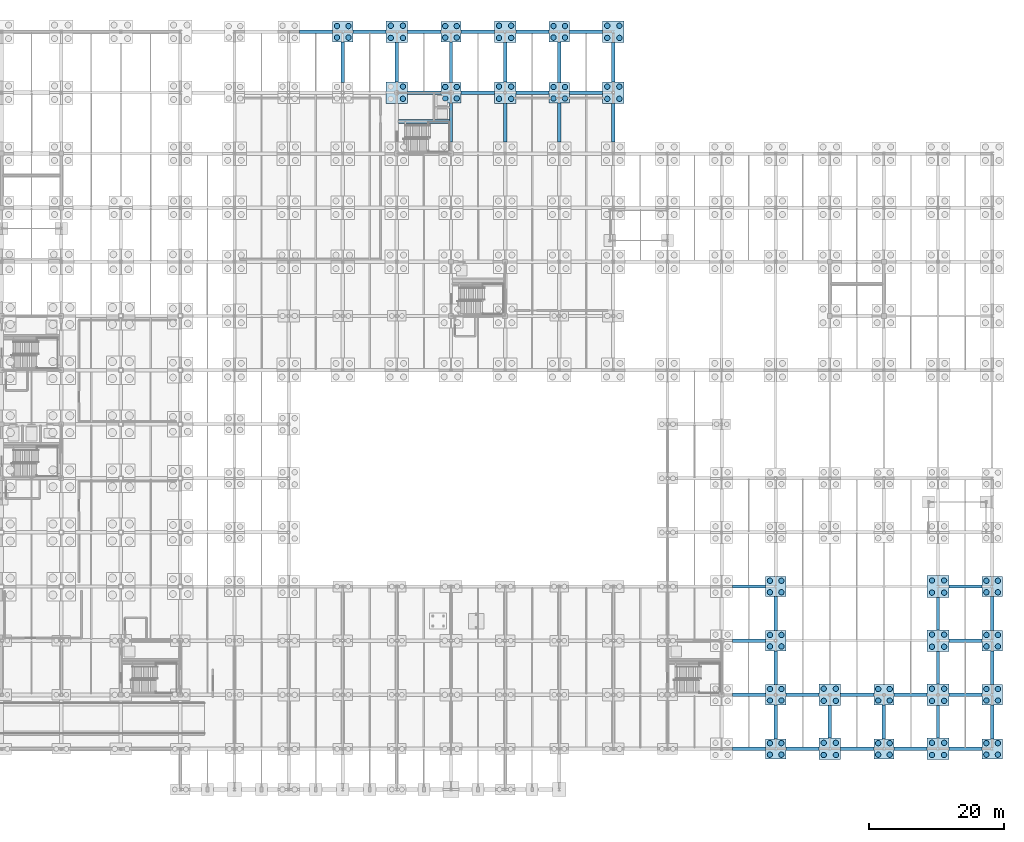
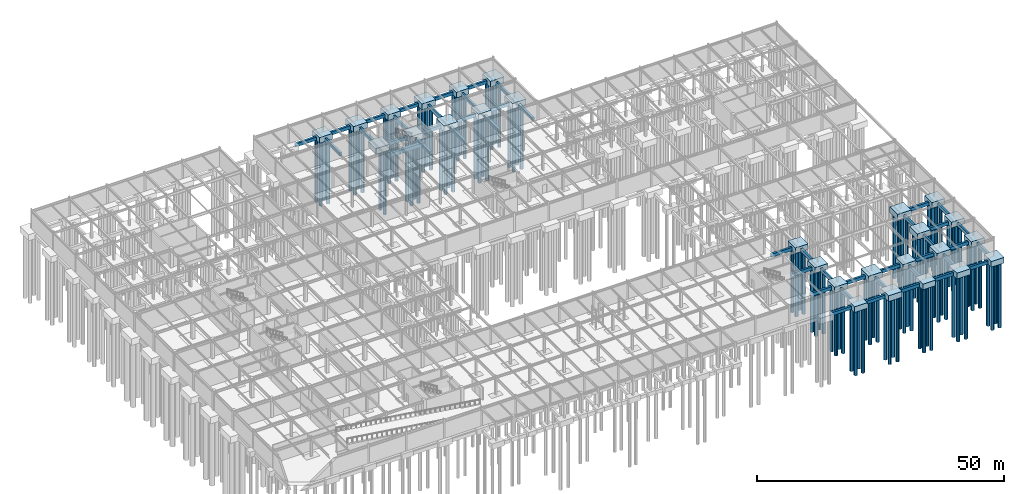
# One storey, part 9 of 72: 106 piles, 73 footings.
"""IFC4 building model written with IfcOpenShell, lengths in metres."""

from ifc_helpers import new_model, si_unit, direction, frame, origin, origin_2d, place, context, subcontext, project, spatial, rectangle, circle, extrude, material, material_profile, profile_set, type_object, element, save


model = new_model("IFC4")

# Units and contexts
model_context = context("Model", 3, precision=1e-05, world=origin(), true_north=direction((0.0, 1.0)))
body_context = subcontext(model_context, "Body", "Model", "MODEL_VIEW")
ifc_project = project(units=[si_unit("LENGTHUNIT", "METRE"), si_unit("AREAUNIT", "SQUARE_METRE"), si_unit("VOLUMEUNIT", "CUBIC_METRE"), si_unit("PLANEANGLEUNIT", "RADIAN"), si_unit("MASSUNIT", "GRAM", prefix="KILO")], contexts=[model_context])

# Site, building, storey
site_placement = place(None, origin())
site = spatial("IfcSite", under=ifc_project, at=site_placement, CompositionType="ELEMENT")
building_placement = place(site_placement, origin())
building = spatial("IfcBuilding", under=site, at=building_placement, Name="Zhaolan Boulevard Law Courts", CompositionType="ELEMENT")
storey_placement = place(building_placement, frame((0.0, 0.0, -4.800048828125)))
storey = spatial("IfcBuildingStorey", under=building, at=storey_placement, Name="B1", CompositionType="ELEMENT", Elevation=-4.800048828125)

# Piles
ifc_material_1 = material(Name="Concrete C40", Category="concrete")
ifc_material_profile_1 = material_profile(ifc_material_1, circle(Radius=0.39990234375, at=origin_2d()), Name="PILE-D800")
ifc_profile_set_1 = profile_set([ifc_material_profile_1], Name="Concrete C40")
pile_type = type_object("IfcPileType", Name="BORED PILE D800", PredefinedType="BORED", material=ifc_profile_set_1)
for number, where, z_axis, x_axis, name in (
    (1, (67.14990234375, 111.14990234375, -1.300048828125), (0.0, 0.0, -1.0), (1.0, 0.0, 0.0), "Bored Pile P-9Q-1"),
    (2, (68.85009765625, 111.14990234375, -1.300048828125), (0.0, 0.0, -1.0), (1.0, 0.0, 0.0), "Bored Pile P-9Q-2"),
    (3, (67.14990234375, 112.85009765625, -1.300048828125), (0.0, 0.0, -1.0), (1.0, 0.0, 0.0), "Bored Pile P-9Q-3"),
    (4, (68.85009765625, 112.85009765625, -1.300048828125), (0.0, 0.0, -1.0), (1.0, 0.0, 0.0), "Bored Pile P-9Q-4"),
):
    element("IfcPile", number, at=place(storey_placement, frame(where, z_axis=z_axis, x_axis=x_axis)), inside=storey, type_object=pile_type, Name=name, PredefinedType="BORED", context=body_context, shape_type="SweptSolid", body=[
        extrude(circle(Radius=0.39990234375, at=origin_2d()), origin(), (0.0, 0.0, 1.0), 16.10009765625),
    ])
for number, where, z_axis, x_axis, name in (
    (5, (76.89990234375, 102.10009765625, -1.349853515625), (0.0, 0.0, -1.0), (1.0, 0.0, 0.0), "Bored Pile P-10P-2"),
    (6, (76.89990234375, 103.89990234375, -1.349853515625), (0.0, 0.0, -1.0), (1.0, 0.0, 0.0), "Bored Pile P-10P-4"),
    (7, (75.10009765625, 111.10009765625, -1.349853515625), (0.0, 0.0, -1.0), (1.0, 0.0, 0.0), "Bored Pile P-10Q-1"),
    (8, (76.89990234375, 111.10009765625, -1.349853515625), (0.0, 0.0, -1.0), (1.0, 0.0, 0.0), "Bored Pile P-10Q-2"),
    (9, (75.10009765625, 112.89990234375, -1.349853515625), (0.0, 0.0, -1.0), (1.0, 0.0, 0.0), "Bored Pile P-10Q-3"),
    (10, (76.89990234375, 112.89990234375, -1.349853515625), (0.0, 0.0, -1.0), (1.0, 0.0, 0.0), "Bored Pile P-10Q-4"),
):
    element("IfcPile", number, at=place(storey_placement, frame(where, z_axis=z_axis, x_axis=x_axis)), inside=storey, type_object=pile_type, Name=name, PredefinedType="BORED", context=body_context, shape_type="SweptSolid", body=[
        extrude(circle(Radius=0.39990234375, at=origin_2d()), origin(), (0.0, 0.0, 1.0), 16.050048828125),
    ])
for number, where, z_axis, x_axis, name in (
    (11, (83.14990234375, 102.14990234375, -1.300048828125), (0.0, 0.0, -1.0), (1.0, 0.0, 0.0), "Bored Pile P-11P-1"),
    (12, (84.85009765625, 102.14990234375, -1.300048828125), (0.0, 0.0, -1.0), (1.0, 0.0, 0.0), "Bored Pile P-11P-2"),
    (13, (83.14990234375, 103.85009765625, -1.300048828125), (0.0, 0.0, -1.0), (1.0, 0.0, 0.0), "Bored Pile P-11P-3"),
    (14, (84.85009765625, 103.85009765625, -1.300048828125), (0.0, 0.0, -1.0), (1.0, 0.0, 0.0), "Bored Pile P-11P-4"),
    (15, (83.14990234375, 111.14990234375, -1.300048828125), (0.0, 0.0, -1.0), (1.0, 0.0, 0.0), "Bored Pile P-11Q-1"),
    (16, (84.85009765625, 111.14990234375, -1.300048828125), (0.0, 0.0, -1.0), (1.0, 0.0, 0.0), "Bored Pile P-11Q-2"),
    (17, (83.14990234375, 112.85009765625, -1.300048828125), (0.0, 0.0, -1.0), (1.0, 0.0, 0.0), "Bored Pile P-11Q-3"),
    (18, (84.85009765625, 112.85009765625, -1.300048828125), (0.0, 0.0, -1.0), (1.0, 0.0, 0.0), "Bored Pile P-11Q-4"),
):
    element("IfcPile", number, at=place(storey_placement, frame(where, z_axis=z_axis, x_axis=x_axis)), inside=storey, type_object=pile_type, Name=name, PredefinedType="BORED", context=body_context, shape_type="SweptSolid", body=[
        extrude(circle(Radius=0.39990234375, at=origin_2d()), origin(), (0.0, 0.0, 1.0), 16.10009765625),
    ])
for number, where, z_axis, x_axis, name in (
    (19, (91.10009765625, 102.10009765625, -1.349853515625), (0.0, 0.0, -1.0), (1.0, 0.0, 0.0), "Bored Pile P-12P-1"),
    (20, (92.89990234375, 102.10009765625, -1.349853515625), (0.0, 0.0, -1.0), (1.0, 0.0, 0.0), "Bored Pile P-12P-2"),
    (21, (91.10009765625, 103.89990234375, -1.349853515625), (0.0, 0.0, -1.0), (1.0, 0.0, 0.0), "Bored Pile P-12P-3"),
    (22, (92.89990234375, 103.89990234375, -1.349853515625), (0.0, 0.0, -1.0), (1.0, 0.0, 0.0), "Bored Pile P-12P-4"),
    (23, (91.10009765625, 111.10009765625, -1.349853515625), (0.0, 0.0, -1.0), (1.0, 0.0, 0.0), "Bored Pile P-12Q-1"),
    (24, (92.89990234375, 111.10009765625, -1.349853515625), (0.0, 0.0, -1.0), (1.0, 0.0, 0.0), "Bored Pile P-12Q-2"),
    (25, (91.10009765625, 112.89990234375, -1.349853515625), (0.0, 0.0, -1.0), (1.0, 0.0, 0.0), "Bored Pile P-12Q-3"),
    (26, (92.89990234375, 112.89990234375, -1.349853515625), (0.0, 0.0, -1.0), (1.0, 0.0, 0.0), "Bored Pile P-12Q-4"),
):
    element("IfcPile", number, at=place(storey_placement, frame(where, z_axis=z_axis, x_axis=x_axis)), inside=storey, type_object=pile_type, Name=name, PredefinedType="BORED", context=body_context, shape_type="SweptSolid", body=[
        extrude(circle(Radius=0.39990234375, at=origin_2d()), origin(), (0.0, 0.0, 1.0), 16.050048828125),
    ])
for number, where, z_axis, x_axis, name in (
    (27, (99.14990234375, 102.14990234375, -1.300048828125), (0.0, 0.0, -1.0), (1.0, 0.0, 0.0), "Bored Pile P-13P-1"),
    (28, (100.85009765625, 102.14990234375, -1.300048828125), (0.0, 0.0, -1.0), (1.0, 0.0, 0.0), "Bored Pile P-13P-2"),
    (29, (99.14990234375, 103.85009765625, -1.300048828125), (0.0, 0.0, -1.0), (1.0, 0.0, 0.0), "Bored Pile P-13P-3"),
    (30, (100.85009765625, 103.85009765625, -1.300048828125), (0.0, 0.0, -1.0), (1.0, 0.0, 0.0), "Bored Pile P-13P-4"),
    (31, (99.14990234375, 111.14990234375, -1.300048828125), (0.0, 0.0, -1.0), (1.0, 0.0, 0.0), "Bored Pile P-13Q-1"),
    (32, (100.85009765625, 111.14990234375, -1.300048828125), (0.0, 0.0, -1.0), (1.0, 0.0, 0.0), "Bored Pile P-13Q-2"),
    (33, (99.14990234375, 112.85009765625, -1.300048828125), (0.0, 0.0, -1.0), (1.0, 0.0, 0.0), "Bored Pile P-13Q-3"),
    (34, (100.85009765625, 112.85009765625, -1.300048828125), (0.0, 0.0, -1.0), (1.0, 0.0, 0.0), "Bored Pile P-13Q-4"),
):
    element("IfcPile", number, at=place(storey_placement, frame(where, z_axis=z_axis, x_axis=x_axis)), inside=storey, type_object=pile_type, Name=name, PredefinedType="BORED", context=body_context, shape_type="SweptSolid", body=[
        extrude(circle(Radius=0.39990234375, at=origin_2d()), origin(), (0.0, 0.0, 1.0), 16.10009765625),
    ])
for number, where, z_axis, x_axis, name in (
    (35, (107.10009765625, 102.10009765625, -1.349853515625), (0.0, 0.0, -1.0), (1.0, 0.0, 0.0), "Bored Pile P-14P-1"),
    (36, (108.89990234375, 102.10009765625, -1.349853515625), (0.0, 0.0, -1.0), (1.0, 0.0, 0.0), "Bored Pile P-14P-2"),
    (37, (107.10009765625, 103.89990234375, -1.349853515625), (0.0, 0.0, -1.0), (1.0, 0.0, 0.0), "Bored Pile P-14P-3"),
    (38, (108.89990234375, 103.89990234375, -1.349853515625), (0.0, 0.0, -1.0), (1.0, 0.0, 0.0), "Bored Pile P-14P-4"),
    (39, (107.10009765625, 111.10009765625, -1.349853515625), (0.0, 0.0, -1.0), (1.0, 0.0, 0.0), "Bored Pile P-14Q-1"),
    (40, (108.89990234375, 111.10009765625, -1.349853515625), (0.0, 0.0, -1.0), (1.0, 0.0, 0.0), "Bored Pile P-14Q-2"),
    (41, (107.10009765625, 112.89990234375, -1.349853515625), (0.0, 0.0, -1.0), (1.0, 0.0, 0.0), "Bored Pile P-14Q-3"),
    (42, (108.89990234375, 112.89990234375, -1.349853515625), (0.0, 0.0, -1.0), (1.0, 0.0, 0.0), "Bored Pile P-14Q-4"),
):
    element("IfcPile", number, at=place(storey_placement, frame(where, z_axis=z_axis, x_axis=x_axis)), inside=storey, type_object=pile_type, Name=name, PredefinedType="BORED", context=body_context, shape_type="SweptSolid", body=[
        extrude(circle(Radius=0.39990234375, at=origin_2d()), origin(), (0.0, 0.0, 1.0), 16.050048828125),
    ])
for number, where, z_axis, x_axis, name in (
    (43, (131.14990234375, 5.14990234375, -1.300048828125), (0.0, 0.0, -1.0), (1.0, 0.0, 0.0), "Bored Pile P-17B-1"),
    (44, (132.85009765625, 5.14990234375, -1.300048828125), (0.0, 0.0, -1.0), (1.0, 0.0, 0.0), "Bored Pile P-17B-2"),
    (45, (131.14990234375, 6.85009765625, -1.300048828125), (0.0, 0.0, -1.0), (1.0, 0.0, 0.0), "Bored Pile P-17B-3"),
    (46, (132.85009765625, 6.85009765625, -1.300048828125), (0.0, 0.0, -1.0), (1.0, 0.0, 0.0), "Bored Pile P-17B-4"),
    (47, (131.14990234375, 13.14990234375, -1.300048828125), (0.0, 0.0, -1.0), (1.0, 0.0, 0.0), "Bored Pile P-17C-1"),
    (48, (132.85009765625, 13.14990234375, -1.300048828125), (0.0, 0.0, -1.0), (1.0, 0.0, 0.0), "Bored Pile P-17C-2"),
    (49, (131.14990234375, 14.85009765625, -1.300048828125), (0.0, 0.0, -1.0), (1.0, 0.0, 0.0), "Bored Pile P-17C-3"),
    (50, (132.85009765625, 14.85009765625, -1.300048828125), (0.0, 0.0, -1.0), (1.0, 0.0, 0.0), "Bored Pile P-17C-4"),
    (51, (131.14990234375, 21.14990234375, -1.300048828125), (0.0, 0.0, -1.0), (1.0, 0.0, 0.0), "Bored Pile P-17D-1"),
    (52, (132.85009765625, 21.14990234375, -1.300048828125), (0.0, 0.0, -1.0), (1.0, 0.0, 0.0), "Bored Pile P-17D-2"),
    (53, (131.14990234375, 22.85009765625, -1.300048828125), (0.0, 0.0, -1.0), (1.0, 0.0, 0.0), "Bored Pile P-17D-3"),
    (54, (132.85009765625, 22.85009765625, -1.300048828125), (0.0, 0.0, -1.0), (1.0, 0.0, 0.0), "Bored Pile P-17D-4"),
    (55, (131.14990234375, 29.14990234375, -1.300048828125), (0.0, 0.0, -1.0), (1.0, 0.0, 0.0), "Bored Pile P-17E-1"),
    (56, (132.85009765625, 29.14990234375, -1.300048828125), (0.0, 0.0, -1.0), (1.0, 0.0, 0.0), "Bored Pile P-17E-2"),
    (57, (131.14990234375, 30.85009765625, -1.300048828125), (0.0, 0.0, -1.0), (1.0, 0.0, 0.0), "Bored Pile P-17E-3"),
    (58, (132.85009765625, 30.85009765625, -1.300048828125), (0.0, 0.0, -1.0), (1.0, 0.0, 0.0), "Bored Pile P-17E-4"),
):
    element("IfcPile", number, at=place(storey_placement, frame(where, z_axis=z_axis, x_axis=x_axis)), inside=storey, type_object=pile_type, Name=name, PredefinedType="BORED", context=body_context, shape_type="SweptSolid", body=[
        extrude(circle(Radius=0.39990234375, at=origin_2d()), origin(), (0.0, 0.0, 1.0), 16.10009765625),
    ])
for number, where, z_axis, x_axis, name in (
    (59, (139.10009765625, 5.10009765625, -1.349853515625), (0.0, 0.0, -1.0), (1.0, 0.0, 0.0), "Bored Pile P-18B-1"),
    (60, (140.89990234375, 5.10009765625, -1.349853515625), (0.0, 0.0, -1.0), (1.0, 0.0, 0.0), "Bored Pile P-18B-2"),
    (61, (139.10009765625, 6.89990234375, -1.349853515625), (0.0, 0.0, -1.0), (1.0, 0.0, 0.0), "Bored Pile P-18B-3"),
    (62, (140.89990234375, 6.89990234375, -1.349853515625), (0.0, 0.0, -1.0), (1.0, 0.0, 0.0), "Bored Pile P-18B-4"),
    (63, (139.10009765625, 13.10009765625, -1.349853515625), (0.0, 0.0, -1.0), (1.0, 0.0, 0.0), "Bored Pile P-18C-1"),
    (64, (140.89990234375, 13.10009765625, -1.349853515625), (0.0, 0.0, -1.0), (1.0, 0.0, 0.0), "Bored Pile P-18C-2"),
    (65, (139.10009765625, 14.89990234375, -1.349853515625), (0.0, 0.0, -1.0), (1.0, 0.0, 0.0), "Bored Pile P-18C-3"),
    (66, (140.89990234375, 14.89990234375, -1.349853515625), (0.0, 0.0, -1.0), (1.0, 0.0, 0.0), "Bored Pile P-18C-4"),
):
    element("IfcPile", number, at=place(storey_placement, frame(where, z_axis=z_axis, x_axis=x_axis)), inside=storey, type_object=pile_type, Name=name, PredefinedType="BORED", context=body_context, shape_type="SweptSolid", body=[
        extrude(circle(Radius=0.39990234375, at=origin_2d()), origin(), (0.0, 0.0, 1.0), 16.050048828125),
    ])
for number, where, z_axis, x_axis, name in (
    (67, (147.14990234375, 5.14990234375, -1.300048828125), (0.0, 0.0, -1.0), (1.0, 0.0, 0.0), "Bored Pile P-19B-1"),
    (68, (148.85009765625, 5.14990234375, -1.300048828125), (0.0, 0.0, -1.0), (1.0, 0.0, 0.0), "Bored Pile P-19B-2"),
    (69, (147.14990234375, 6.85009765625, -1.300048828125), (0.0, 0.0, -1.0), (1.0, 0.0, 0.0), "Bored Pile P-19B-3"),
    (70, (148.85009765625, 6.85009765625, -1.300048828125), (0.0, 0.0, -1.0), (1.0, 0.0, 0.0), "Bored Pile P-19B-4"),
    (71, (147.14990234375, 13.14990234375, -1.300048828125), (0.0, 0.0, -1.0), (1.0, 0.0, 0.0), "Bored Pile P-19C-1"),
    (72, (148.85009765625, 13.14990234375, -1.300048828125), (0.0, 0.0, -1.0), (1.0, 0.0, 0.0), "Bored Pile P-19C-2"),
    (73, (147.14990234375, 14.85009765625, -1.300048828125), (0.0, 0.0, -1.0), (1.0, 0.0, 0.0), "Bored Pile P-19C-3"),
    (74, (148.85009765625, 14.85009765625, -1.300048828125), (0.0, 0.0, -1.0), (1.0, 0.0, 0.0), "Bored Pile P-19C-4"),
):
    element("IfcPile", number, at=place(storey_placement, frame(where, z_axis=z_axis, x_axis=x_axis)), inside=storey, type_object=pile_type, Name=name, PredefinedType="BORED", context=body_context, shape_type="SweptSolid", body=[
        extrude(circle(Radius=0.39990234375, at=origin_2d()), origin(), (0.0, 0.0, 1.0), 16.10009765625),
    ])
for number, where, z_axis, x_axis, name in (
    (75, (155.10009765625, 5.10009765625, -1.349853515625), (0.0, 0.0, -1.0), (1.0, 0.0, 0.0), "Bored Pile P-20B-1"),
    (76, (156.89990234375, 5.10009765625, -1.349853515625), (0.0, 0.0, -1.0), (1.0, 0.0, 0.0), "Bored Pile P-20B-2"),
    (77, (155.10009765625, 6.89990234375, -1.349853515625), (0.0, 0.0, -1.0), (1.0, 0.0, 0.0), "Bored Pile P-20B-3"),
    (78, (156.89990234375, 6.89990234375, -1.349853515625), (0.0, 0.0, -1.0), (1.0, 0.0, 0.0), "Bored Pile P-20B-4"),
    (79, (155.10009765625, 13.10009765625, -1.349853515625), (0.0, 0.0, -1.0), (1.0, 0.0, 0.0), "Bored Pile P-20C-1"),
    (80, (156.89990234375, 13.10009765625, -1.349853515625), (0.0, 0.0, -1.0), (1.0, 0.0, 0.0), "Bored Pile P-20C-2"),
    (81, (155.10009765625, 14.89990234375, -1.349853515625), (0.0, 0.0, -1.0), (1.0, 0.0, 0.0), "Bored Pile P-20C-3"),
    (82, (156.89990234375, 14.89990234375, -1.349853515625), (0.0, 0.0, -1.0), (1.0, 0.0, 0.0), "Bored Pile P-20C-4"),
    (83, (155.10009765625, 21.10009765625, -1.349853515625), (0.0, 0.0, -1.0), (1.0, 0.0, 0.0), "Bored Pile P-20D-1"),
    (84, (156.89990234375, 21.10009765625, -1.349853515625), (0.0, 0.0, -1.0), (1.0, 0.0, 0.0), "Bored Pile P-20D-2"),
    (85, (155.10009765625, 22.89990234375, -1.349853515625), (0.0, 0.0, -1.0), (1.0, 0.0, 0.0), "Bored Pile P-20D-3"),
    (86, (156.89990234375, 22.89990234375, -1.349853515625), (0.0, 0.0, -1.0), (1.0, 0.0, 0.0), "Bored Pile P-20D-4"),
    (87, (155.10009765625, 29.10009765625, -1.349853515625), (0.0, 0.0, -1.0), (1.0, 0.0, 0.0), "Bored Pile P-20E-1"),
    (88, (156.89990234375, 29.10009765625, -1.349853515625), (0.0, 0.0, -1.0), (1.0, 0.0, 0.0), "Bored Pile P-20E-2"),
    (89, (155.10009765625, 30.89990234375, -1.349853515625), (0.0, 0.0, -1.0), (1.0, 0.0, 0.0), "Bored Pile P-20E-3"),
    (90, (156.89990234375, 30.89990234375, -1.349853515625), (0.0, 0.0, -1.0), (1.0, 0.0, 0.0), "Bored Pile P-20E-4"),
):
    element("IfcPile", number, at=place(storey_placement, frame(where, z_axis=z_axis, x_axis=x_axis)), inside=storey, type_object=pile_type, Name=name, PredefinedType="BORED", context=body_context, shape_type="SweptSolid", body=[
        extrude(circle(Radius=0.39990234375, at=origin_2d()), origin(), (0.0, 0.0, 1.0), 16.050048828125),
    ])
for number, where, z_axis, x_axis, name in (
    (91, (163.14990234375, 5.14990234375, -1.300048828125), (0.0, 0.0, -1.0), (1.0, 0.0, 0.0), "Bored Pile P-21B-1"),
    (92, (164.85009765625, 5.14990234375, -1.300048828125), (0.0, 0.0, -1.0), (1.0, 0.0, 0.0), "Bored Pile P-21B-2"),
    (93, (163.14990234375, 6.85009765625, -1.300048828125), (0.0, 0.0, -1.0), (1.0, 0.0, 0.0), "Bored Pile P-21B-3"),
    (94, (164.85009765625, 6.85009765625, -1.300048828125), (0.0, 0.0, -1.0), (1.0, 0.0, 0.0), "Bored Pile P-21B-4"),
    (95, (163.14990234375, 13.14990234375, -1.300048828125), (0.0, 0.0, -1.0), (1.0, 0.0, 0.0), "Bored Pile P-21C-1"),
    (96, (164.85009765625, 13.14990234375, -1.300048828125), (0.0, 0.0, -1.0), (1.0, 0.0, 0.0), "Bored Pile P-21C-2"),
    (97, (163.14990234375, 14.85009765625, -1.300048828125), (0.0, 0.0, -1.0), (1.0, 0.0, 0.0), "Bored Pile P-21C-3"),
    (98, (164.85009765625, 14.85009765625, -1.300048828125), (0.0, 0.0, -1.0), (1.0, 0.0, 0.0), "Bored Pile P-21C-4"),
    (99, (163.14990234375, 21.14990234375, -1.300048828125), (0.0, 0.0, -1.0), (1.0, 0.0, 0.0), "Bored Pile P-21D-1"),
    (100, (164.85009765625, 21.14990234375, -1.300048828125), (0.0, 0.0, -1.0), (1.0, 0.0, 0.0), "Bored Pile P-21D-2"),
    (101, (163.14990234375, 22.85009765625, -1.300048828125), (0.0, 0.0, -1.0), (1.0, 0.0, 0.0), "Bored Pile P-21D-3"),
    (102, (164.85009765625, 22.85009765625, -1.300048828125), (0.0, 0.0, -1.0), (1.0, 0.0, 0.0), "Bored Pile P-21D-4"),
    (103, (163.14990234375, 29.14990234375, -1.300048828125), (0.0, 0.0, -1.0), (1.0, 0.0, 0.0), "Bored Pile P-21E-1"),
    (104, (164.85009765625, 29.14990234375, -1.300048828125), (0.0, 0.0, -1.0), (1.0, 0.0, 0.0), "Bored Pile P-21E-2"),
    (105, (163.14990234375, 30.85009765625, -1.300048828125), (0.0, 0.0, -1.0), (1.0, 0.0, 0.0), "Bored Pile P-21E-3"),
    (106, (164.85009765625, 30.85009765625, -1.300048828125), (0.0, 0.0, -1.0), (1.0, 0.0, 0.0), "Bored Pile P-21E-4"),
):
    element("IfcPile", number, at=place(storey_placement, frame(where, z_axis=z_axis, x_axis=x_axis)), inside=storey, type_object=pile_type, Name=name, PredefinedType="BORED", context=body_context, shape_type="SweptSolid", body=[
        extrude(circle(Radius=0.39990234375, at=origin_2d()), origin(), (0.0, 0.0, 1.0), 16.10009765625),
    ])

# Footings
ifc_material_2 = material(Name="Concrete C40", Category="concrete")
footing_type_1 = type_object("IfcFootingType", Name="PILE CAP 3000X3000X1400", PredefinedType="PILE_CAP", material=ifc_material_2)
for number, where, z_axis, x_axis, name in (
    (107, (68.0, 112.0, -1.39990234375), (0.0, 0.0, 1.0), (1.0, 0.0, 0.0), "Pile Cap PC-9Q"),
    (108, (84.0, 103.0, -1.39990234375), (0.0, 0.0, 1.0), (1.0, 0.0, 0.0), "Pile Cap PC-11P"),
    (109, (84.0, 112.0, -1.39990234375), (0.0, 0.0, 1.0), (1.0, 0.0, 0.0), "Pile Cap PC-11Q"),
    (110, (100.0, 103.0, -1.39990234375), (0.0, 0.0, 1.0), (1.0, 0.0, 0.0), "Pile Cap PC-13P"),
    (111, (100.0, 112.0, -1.39990234375), (0.0, 0.0, 1.0), (1.0, 0.0, 0.0), "Pile Cap PC-13Q"),
    (112, (132.0, 6.0, -1.39990234375), (0.0, 0.0, 1.0), (1.0, 0.0, 0.0), "Pile Cap PC-17B"),
    (113, (132.0, 14.0, -1.39990234375), (0.0, 0.0, 1.0), (1.0, 0.0, 0.0), "Pile Cap PC-17C"),
    (114, (132.0, 22.0, -1.39990234375), (0.0, 0.0, 1.0), (1.0, 0.0, 0.0), "Pile Cap PC-17D"),
    (115, (132.0, 30.0, -1.39990234375), (0.0, 0.0, 1.0), (1.0, 0.0, 0.0), "Pile Cap PC-17E"),
    (116, (148.0, 6.0, -1.39990234375), (0.0, 0.0, 1.0), (1.0, 0.0, 0.0), "Pile Cap PC-19B"),
    (117, (148.0, 14.0, -1.39990234375), (0.0, 0.0, 1.0), (1.0, 0.0, 0.0), "Pile Cap PC-19C"),
    (118, (164.0, 6.0, -1.39990234375), (0.0, 0.0, 1.0), (1.0, 0.0, 0.0), "Pile Cap PC-21B"),
    (119, (164.0, 14.0, -1.39990234375), (0.0, 0.0, 1.0), (1.0, 0.0, 0.0), "Pile Cap PC-21C"),
    (120, (164.0, 22.0, -1.39990234375), (0.0, 0.0, 1.0), (1.0, 0.0, 0.0), "Pile Cap PC-21D"),
    (121, (164.0, 30.0, -1.39990234375), (0.0, 0.0, 1.0), (1.0, 0.0, 0.0), "Pile Cap PC-21E"),
):
    element("IfcFooting", number, at=place(storey_placement, frame(where, z_axis=z_axis, x_axis=x_axis)), inside=storey, type_object=footing_type_1, Name=name, PredefinedType="PILE_CAP", context=body_context, shape_type="SweptSolid", body=[
        extrude(rectangle(XDim=3.0, YDim=3.0, at=origin_2d()), origin(), (0.0, 0.0, 1.0), 1.39990234375),
    ])
ifc_material_3 = material(Name="Concrete C40", Category="concrete")
footing_type_2 = type_object("IfcFootingType", Name="PILE CAP 3200X3200X1450", PredefinedType="PILE_CAP", material=ifc_material_3)
for number, where, z_axis, x_axis, name in (
    (122, (76.0, 103.0, -1.44970703125), (0.0, 0.0, 1.0), (1.0, 0.0, 0.0), "Pile Cap PC-10P"),
    (123, (76.0, 112.0, -1.44970703125), (0.0, 0.0, 1.0), (1.0, 0.0, 0.0), "Pile Cap PC-10Q"),
    (124, (92.0, 103.0, -1.44970703125), (0.0, 0.0, 1.0), (1.0, 0.0, 0.0), "Pile Cap PC-12P"),
    (125, (92.0, 112.0, -1.44970703125), (0.0, 0.0, 1.0), (1.0, 0.0, 0.0), "Pile Cap PC-12Q"),
    (126, (108.0, 103.0, -1.44970703125), (0.0, 0.0, 1.0), (1.0, 0.0, 0.0), "Pile Cap PC-14P"),
    (127, (108.0, 112.0, -1.44970703125), (0.0, 0.0, 1.0), (1.0, 0.0, 0.0), "Pile Cap PC-14Q"),
    (128, (140.0, 6.0, -1.44970703125), (0.0, 0.0, 1.0), (1.0, 0.0, 0.0), "Pile Cap PC-18B"),
    (129, (140.0, 14.0, -1.44970703125), (0.0, 0.0, 1.0), (1.0, 0.0, 0.0), "Pile Cap PC-18C"),
    (130, (156.0, 6.0, -1.44970703125), (0.0, 0.0, 1.0), (1.0, 0.0, 0.0), "Pile Cap PC-20B"),
    (131, (156.0, 14.0, -1.44970703125), (0.0, 0.0, 1.0), (1.0, 0.0, 0.0), "Pile Cap PC-20C"),
    (132, (156.0, 22.0, -1.44970703125), (0.0, 0.0, 1.0), (1.0, 0.0, 0.0), "Pile Cap PC-20D"),
    (133, (156.0, 30.0, -1.44970703125), (0.0, 0.0, 1.0), (1.0, 0.0, 0.0), "Pile Cap PC-20E"),
):
    element("IfcFooting", number, at=place(storey_placement, frame(where, z_axis=z_axis, x_axis=x_axis)), inside=storey, type_object=footing_type_2, Name=name, PredefinedType="PILE_CAP", context=body_context, shape_type="SweptSolid", body=[
        extrude(rectangle(XDim=3.199951171875, YDim=3.199951171875, at=origin_2d()), origin(), (0.0, 0.0, 1.0), 1.449951171875),
    ])
ifc_material_4 = material(Name="Concrete C40", Category="concrete")
ifc_material_profile_2 = material_profile(ifc_material_4, rectangle(XDim=0.60009765625, YDim=0.89990234375, at=origin_2d()), Name="RC600x900")
ifc_profile_set_2 = profile_set([ifc_material_profile_2], Name="Concrete C40")
footing_type_3 = type_object("IfcFootingType", Name="STRIP FOOTING 600X900", PredefinedType="STRIP_FOOTING", material=ifc_profile_set_2)
footing_1_placement = place(storey_placement, frame((76.251953125, 98.75, -0.449951171875), z_axis=(1.0, 0.0, 0.0), x_axis=(0.0, 1.0, 0.0)))
element("IfcFooting", 134, at=footing_1_placement, inside=storey, type_object=footing_type_3, Name="Stair Divider Strip Footing SF-ST11-DN", PredefinedType="STRIP_FOOTING", context=body_context, shape_type="SweptSolid", body=[
    extrude(rectangle(XDim=0.60009765625, YDim=0.89990234375, at=origin_2d()), origin(), (0.0, 0.0, 1.0), 7.49609375),
])
ifc_material_5 = material(Name="Concrete C40", Category="concrete")
ifc_material_profile_3 = material_profile(ifc_material_5, rectangle(XDim=0.5, YDim=0.800048828125, at=origin_2d()), Name="RC500x800")
ifc_profile_set_3 = profile_set([ifc_material_profile_3], Name="Concrete C40")
footing_type_4 = type_object("IfcFootingType", Name="TIE BEAM 500X800", PredefinedType="FOOTING_BEAM", material=ifc_profile_set_3)
for number, where, z_axis, x_axis, name in (
    (135, (61.60205078125, 112.0, -1.0), (1.0, 0.0, 0.0), (0.0, 1.0, 0.0), "Foundation Tie Beam TBX-8-9-Q"),
    (136, (69.501953125, 112.0, -1.0), (1.0, 0.0, 0.0), (0.0, 1.0, 0.0), "Foundation Tie Beam TBX-9-10-Q"),
    (137, (77.60205078125, 103.0, -1.0), (1.0, 0.0, 0.0), (0.0, 1.0, 0.0), "Foundation Tie Beam TBX-10-11-P"),
    (138, (77.60205078125, 112.0, -1.0), (1.0, 0.0, 0.0), (0.0, 1.0, 0.0), "Foundation Tie Beam TBX-10-11-Q"),
    (139, (85.501953125, 103.0, -1.0), (1.0, 0.0, 0.0), (0.0, 1.0, 0.0), "Foundation Tie Beam TBX-11-12-P"),
    (140, (85.501953125, 112.0, -1.0), (1.0, 0.0, 0.0), (0.0, 1.0, 0.0), "Foundation Tie Beam TBX-11-12-Q"),
    (141, (93.60205078125, 103.0, -1.0), (1.0, 0.0, 0.0), (0.0, 1.0, 0.0), "Foundation Tie Beam TBX-12-13-P"),
    (142, (93.60205078125, 112.0, -1.0), (1.0, 0.0, 0.0), (0.0, 1.0, 0.0), "Foundation Tie Beam TBX-12-13-Q"),
    (143, (101.501953125, 103.0, -1.0), (1.0, 0.0, 0.0), (0.0, 1.0, 0.0), "Foundation Tie Beam TBX-13-14-P"),
    (144, (101.501953125, 112.0, -1.0), (1.0, 0.0, 0.0), (0.0, 1.0, 0.0), "Foundation Tie Beam TBX-13-14-Q"),
    (145, (125.60205078125, 6.0, -1.0), (1.0, 0.0, 0.0), (0.0, 1.0, 0.0), "Foundation Tie Beam TBX-16-17-B"),
    (146, (125.60205078125, 14.0, -1.0), (1.0, 0.0, 0.0), (0.0, 1.0, 0.0), "Foundation Tie Beam TBX-16-17-C"),
    (147, (125.60205078125, 22.0, -1.0), (1.0, 0.0, 0.0), (0.0, 1.0, 0.0), "Foundation Tie Beam TBX-16-17-D"),
    (148, (125.60205078125, 30.0, -1.0), (1.0, 0.0, 0.0), (0.0, 1.0, 0.0), "Foundation Tie Beam TBX-16-17-E"),
    (149, (133.501953125, 6.0, -1.0), (1.0, 0.0, 0.0), (0.0, 1.0, 0.0), "Foundation Tie Beam TBX-17-18-B"),
    (150, (133.501953125, 14.0, -1.0), (1.0, 0.0, 0.0), (0.0, 1.0, 0.0), "Foundation Tie Beam TBX-17-18-C"),
    (151, (141.60205078125, 6.0, -1.0), (1.0, 0.0, 0.0), (0.0, 1.0, 0.0), "Foundation Tie Beam TBX-18-19-B"),
    (152, (141.60205078125, 14.0, -1.0), (1.0, 0.0, 0.0), (0.0, 1.0, 0.0), "Foundation Tie Beam TBX-18-19-C"),
    (153, (149.501953125, 6.0, -1.0), (1.0, 0.0, 0.0), (0.0, 1.0, 0.0), "Foundation Tie Beam TBX-19-20-B"),
    (154, (149.501953125, 14.0, -1.0), (1.0, 0.0, 0.0), (0.0, 1.0, 0.0), "Foundation Tie Beam TBX-19-20-C"),
    (155, (157.60205078125, 6.0, -1.0), (1.0, 0.0, 0.0), (0.0, 1.0, 0.0), "Foundation Tie Beam TBX-20-21-B"),
    (156, (157.60205078125, 14.0, -1.0), (1.0, 0.0, 0.0), (0.0, 1.0, 0.0), "Foundation Tie Beam TBX-20-21-C"),
    (157, (157.60205078125, 22.0, -1.0), (1.0, 0.0, 0.0), (0.0, 1.0, 0.0), "Foundation Tie Beam TBX-20-21-D"),
    (158, (157.60205078125, 30.0, -1.0), (1.0, 0.0, 0.0), (0.0, 1.0, 0.0), "Foundation Tie Beam TBX-20-21-E"),
):
    element("IfcFooting", number, at=place(storey_placement, frame(where, z_axis=z_axis, x_axis=x_axis)), inside=storey, type_object=footing_type_4, Name=name, PredefinedType="FOOTING_BEAM", context=body_context, shape_type="SweptSolid", body=[
        extrude(rectangle(XDim=0.5, YDim=0.800048828125, at=origin_2d()), origin(), (0.0, 0.0, 1.0), 4.89599609375),
    ])
footing_2_placement = place(storey_placement, frame((68.0, 104.501953125, -1.0), z_axis=(0.0, 1.0, 0.0), x_axis=(-1.0, 0.0, 0.0)))
element("IfcFooting", 159, at=footing_2_placement, inside=storey, type_object=footing_type_4, Name="Foundation Tie Beam TBY-9-P-Q", PredefinedType="FOOTING_BEAM", context=body_context, shape_type="SweptSolid", body=[
    extrude(rectangle(XDim=0.5, YDim=0.800048828125, at=origin_2d()), origin(), (0.0, 0.0, 1.0), 5.99609375),
])
footing_3_placement = place(storey_placement, frame((76.0, 104.60205078125, -1.0), z_axis=(0.0, 1.0, 0.0), x_axis=(-1.0, 0.0, 0.0)))
element("IfcFooting", 160, at=footing_3_placement, inside=storey, type_object=footing_type_4, Name="Foundation Tie Beam TBY-10-P-Q", PredefinedType="FOOTING_BEAM", context=body_context, shape_type="SweptSolid", body=[
    extrude(rectangle(XDim=0.5, YDim=0.800048828125, at=origin_2d()), origin(), (0.0, 0.0, 1.0), 5.7958984375),
])
footing_4_placement = place(storey_placement, frame((84.0, 95.751953125, -1.0), z_axis=(0.0, 1.0, 0.0), x_axis=(-1.0, 0.0, 0.0)))
element("IfcFooting", 161, at=footing_4_placement, inside=storey, type_object=footing_type_4, Name="Foundation Tie Beam TBY-11-N-P", PredefinedType="FOOTING_BEAM", context=body_context, shape_type="SweptSolid", body=[
    extrude(rectangle(XDim=0.5, YDim=0.800048828125, at=origin_2d()), origin(), (0.0, 0.0, 1.0), 5.74609375),
])
footing_5_placement = place(storey_placement, frame((84.0, 104.501953125, -1.0), z_axis=(0.0, 1.0, 0.0), x_axis=(-1.0, 0.0, 0.0)))
element("IfcFooting", 162, at=footing_5_placement, inside=storey, type_object=footing_type_4, Name="Foundation Tie Beam TBY-11-P-Q", PredefinedType="FOOTING_BEAM", context=body_context, shape_type="SweptSolid", body=[
    extrude(rectangle(XDim=0.5, YDim=0.800048828125, at=origin_2d()), origin(), (0.0, 0.0, 1.0), 5.99609375),
])
footing_6_placement = place(storey_placement, frame((92.0, 95.751953125, -1.0), z_axis=(0.0, 1.0, 0.0), x_axis=(-1.0, 0.0, 0.0)))
element("IfcFooting", 163, at=footing_6_placement, inside=storey, type_object=footing_type_4, Name="Foundation Tie Beam TBY-12-N-P", PredefinedType="FOOTING_BEAM", context=body_context, shape_type="SweptSolid", body=[
    extrude(rectangle(XDim=0.5, YDim=0.800048828125, at=origin_2d()), origin(), (0.0, 0.0, 1.0), 5.64599609375),
])
footing_7_placement = place(storey_placement, frame((92.0, 104.60205078125, -1.0), z_axis=(0.0, 1.0, 0.0), x_axis=(-1.0, 0.0, 0.0)))
element("IfcFooting", 164, at=footing_7_placement, inside=storey, type_object=footing_type_4, Name="Foundation Tie Beam TBY-12-P-Q", PredefinedType="FOOTING_BEAM", context=body_context, shape_type="SweptSolid", body=[
    extrude(rectangle(XDim=0.5, YDim=0.800048828125, at=origin_2d()), origin(), (0.0, 0.0, 1.0), 5.7958984375),
])
footing_8_placement = place(storey_placement, frame((100.0, 95.751953125, -1.0), z_axis=(0.0, 1.0, 0.0), x_axis=(-1.0, 0.0, 0.0)))
element("IfcFooting", 165, at=footing_8_placement, inside=storey, type_object=footing_type_4, Name="Foundation Tie Beam TBY-13-N-P", PredefinedType="FOOTING_BEAM", context=body_context, shape_type="SweptSolid", body=[
    extrude(rectangle(XDim=0.5, YDim=0.800048828125, at=origin_2d()), origin(), (0.0, 0.0, 1.0), 5.74609375),
])
footing_9_placement = place(storey_placement, frame((100.0, 104.501953125, -1.0), z_axis=(0.0, 1.0, 0.0), x_axis=(-1.0, 0.0, 0.0)))
element("IfcFooting", 166, at=footing_9_placement, inside=storey, type_object=footing_type_4, Name="Foundation Tie Beam TBY-13-P-Q", PredefinedType="FOOTING_BEAM", context=body_context, shape_type="SweptSolid", body=[
    extrude(rectangle(XDim=0.5, YDim=0.800048828125, at=origin_2d()), origin(), (0.0, 0.0, 1.0), 5.99609375),
])
footing_10_placement = place(storey_placement, frame((108.0, 95.751953125, -1.0), z_axis=(0.0, 1.0, 0.0), x_axis=(-1.0, 0.0, 0.0)))
element("IfcFooting", 167, at=footing_10_placement, inside=storey, type_object=footing_type_4, Name="Foundation Tie Beam TBY-14-N-P", PredefinedType="FOOTING_BEAM", context=body_context, shape_type="SweptSolid", body=[
    extrude(rectangle(XDim=0.5, YDim=0.800048828125, at=origin_2d()), origin(), (0.0, 0.0, 1.0), 5.64599609375),
])
footing_11_placement = place(storey_placement, frame((108.0, 104.60205078125, -1.0), z_axis=(0.0, 1.0, 0.0), x_axis=(-1.0, 0.0, 0.0)))
element("IfcFooting", 168, at=footing_11_placement, inside=storey, type_object=footing_type_4, Name="Foundation Tie Beam TBY-14-P-Q", PredefinedType="FOOTING_BEAM", context=body_context, shape_type="SweptSolid", body=[
    extrude(rectangle(XDim=0.5, YDim=0.800048828125, at=origin_2d()), origin(), (0.0, 0.0, 1.0), 5.7958984375),
])
for number, where, z_axis, x_axis, name in (
    (169, (132.0, 7.501953125, -1.0), (0.0, 1.0, 0.0), (-1.0, 0.0, 0.0), "Foundation Tie Beam TBY-17-B-C"),
    (170, (132.0, 15.501953125, -1.0), (0.0, 1.0, 0.0), (-1.0, 0.0, 0.0), "Foundation Tie Beam TBY-17-C-D"),
    (171, (132.0, 23.501953125, -1.0), (0.0, 1.0, 0.0), (-1.0, 0.0, 0.0), "Foundation Tie Beam TBY-17-D-E"),
):
    element("IfcFooting", number, at=place(storey_placement, frame(where, z_axis=z_axis, x_axis=x_axis)), inside=storey, type_object=footing_type_4, Name=name, PredefinedType="FOOTING_BEAM", context=body_context, shape_type="SweptSolid", body=[
        extrude(rectangle(XDim=0.5, YDim=0.800048828125, at=origin_2d()), origin(), (0.0, 0.0, 1.0), 4.99609375),
    ])
footing_12_placement = place(storey_placement, frame((140.0, 7.60205078125, -1.0), z_axis=(0.0, 1.0, 0.0), x_axis=(-1.0, 0.0, 0.0)))
element("IfcFooting", 172, at=footing_12_placement, inside=storey, type_object=footing_type_4, Name="Foundation Tie Beam TBY-18-B-C", PredefinedType="FOOTING_BEAM", context=body_context, shape_type="SweptSolid", body=[
    extrude(rectangle(XDim=0.5, YDim=0.800048828125, at=origin_2d()), origin(), (0.0, 0.0, 1.0), 4.7958984375),
])
footing_13_placement = place(storey_placement, frame((148.0, 7.501953125, -1.0), z_axis=(0.0, 1.0, 0.0), x_axis=(-1.0, 0.0, 0.0)))
element("IfcFooting", 173, at=footing_13_placement, inside=storey, type_object=footing_type_4, Name="Foundation Tie Beam TBY-19-B-C", PredefinedType="FOOTING_BEAM", context=body_context, shape_type="SweptSolid", body=[
    extrude(rectangle(XDim=0.5, YDim=0.800048828125, at=origin_2d()), origin(), (0.0, 0.0, 1.0), 4.99609375),
])
for number, where, z_axis, x_axis, name in (
    (174, (156.0, 7.60205078125, -1.0), (0.0, 1.0, 0.0), (-1.0, 0.0, 0.0), "Foundation Tie Beam TBY-20-B-C"),
    (175, (156.0, 15.60205078125, -1.0), (0.0, 1.0, 0.0), (-1.0, 0.0, 0.0), "Foundation Tie Beam TBY-20-C-D"),
    (176, (156.0, 23.60205078125, -1.0), (0.0, 1.0, 0.0), (-1.0, 0.0, 0.0), "Foundation Tie Beam TBY-20-D-E"),
):
    element("IfcFooting", number, at=place(storey_placement, frame(where, z_axis=z_axis, x_axis=x_axis)), inside=storey, type_object=footing_type_4, Name=name, PredefinedType="FOOTING_BEAM", context=body_context, shape_type="SweptSolid", body=[
        extrude(rectangle(XDim=0.5, YDim=0.800048828125, at=origin_2d()), origin(), (0.0, 0.0, 1.0), 4.7958984375),
    ])
for number, where, z_axis, x_axis, name in (
    (177, (164.0, 7.501953125, -1.0), (0.0, 1.0, 0.0), (-1.0, 0.0, 0.0), "Foundation Tie Beam TBY-21-B-C"),
    (178, (164.0, 15.501953125, -1.0), (0.0, 1.0, 0.0), (-1.0, 0.0, 0.0), "Foundation Tie Beam TBY-21-C-D"),
    (179, (164.0, 23.501953125, -1.0), (0.0, 1.0, 0.0), (-1.0, 0.0, 0.0), "Foundation Tie Beam TBY-21-D-E"),
):
    element("IfcFooting", number, at=place(storey_placement, frame(where, z_axis=z_axis, x_axis=x_axis)), inside=storey, type_object=footing_type_4, Name=name, PredefinedType="FOOTING_BEAM", context=body_context, shape_type="SweptSolid", body=[
        extrude(rectangle(XDim=0.5, YDim=0.800048828125, at=origin_2d()), origin(), (0.0, 0.0, 1.0), 4.99609375),
    ])

save(model, "model.ifc")
